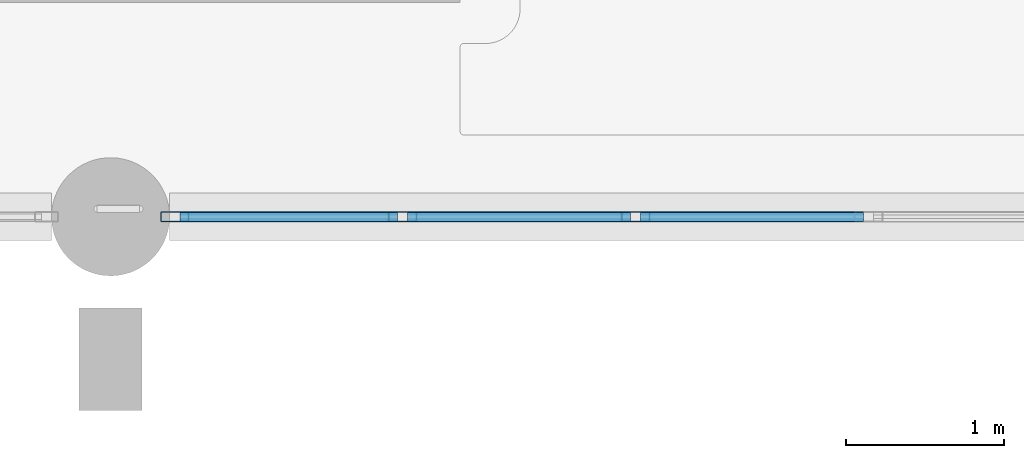
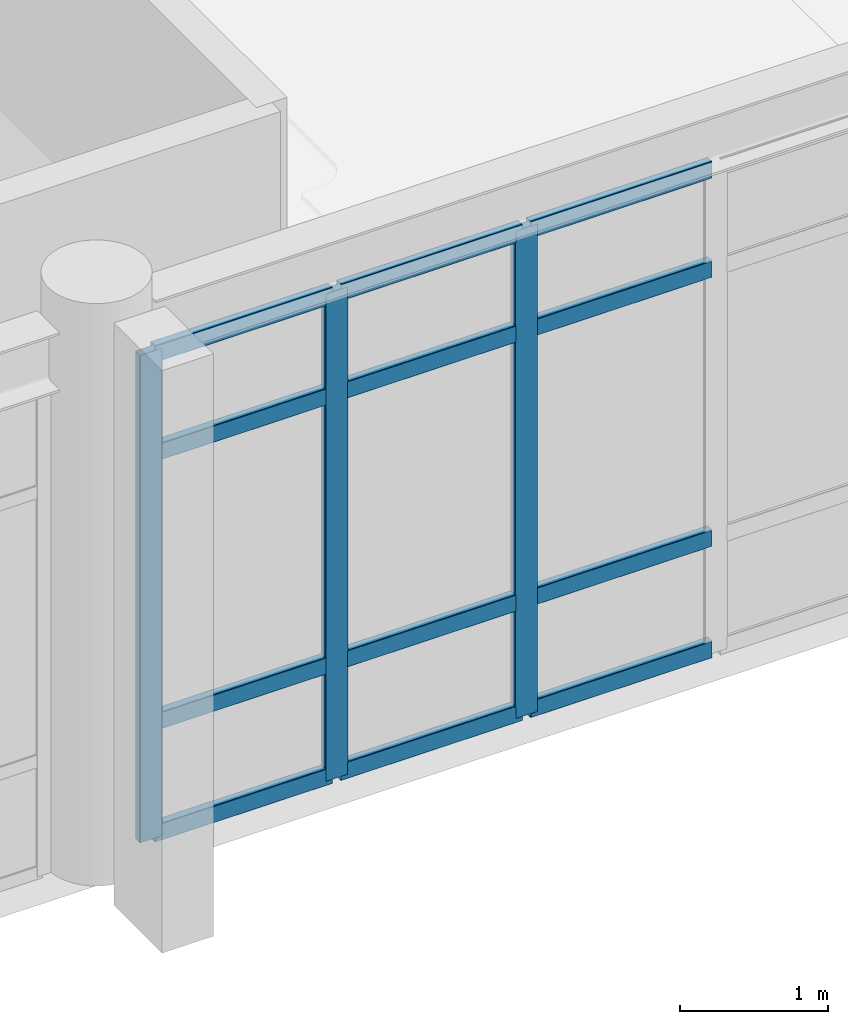
# One storey, part 55 of 98: 15 members, 1 element without a shape of its own.
"""IFC4 building model written with IfcOpenShell, lengths in metres."""

from ifc_helpers import new_model, si_unit, direction, frame, origin, origin_2d, place, context, subcontext, project, spatial, hollow_rectangle, extrude, material, material_profile, profile_set, type_object, element, aggregate, save


model = new_model("IFC4")

# Units and contexts
model_context = context("Model", 3, precision=1e-05, world=origin(), true_north=direction((0.0, 1.0)))
body_context = subcontext(model_context, "Body", "Model", "MODEL_VIEW")
ifc_project = project(units=[si_unit("LENGTHUNIT", "METRE"), si_unit("AREAUNIT", "SQUARE_METRE"), si_unit("VOLUMEUNIT", "CUBIC_METRE"), si_unit("PLANEANGLEUNIT", "RADIAN"), si_unit("MASSUNIT", "GRAM", prefix="KILO")], contexts=[model_context])

# Site, building, storey
site_placement = place(None, origin())
site = spatial("IfcSite", under=ifc_project, at=site_placement, CompositionType="ELEMENT")
building_placement = place(site_placement, origin())
building = spatial("IfcBuilding", under=site, at=building_placement, Name="Canglan Escarpment Cableway Terminal", CompositionType="ELEMENT")
storey_placement = place(building_placement, frame((0.0, 0.0, 9.60009765625)))
storey = spatial("IfcBuildingStorey", under=building, at=storey_placement, Name="L02", CompositionType="ELEMENT", Elevation=9.60009765625)

# Curtain wall, members
ifc_material_1 = material(Name="Anodized bronze aluminium and Low-E double glazing", Category="aluminium")
curtain_wall_type = type_object("IfcCurtainWallType", Name="CW-BAY-8875x4025", PredefinedType="NOTDEFINED", material=ifc_material_1)
curtain_wall_placement = place(storey_placement, origin())
curtain_wall = element("IfcCurtainWall", 1, at=curtain_wall_placement, inside=storey, type_object=curtain_wall_type, Name="Classical bay-between-piers glazed curtain wall CW-26", PredefinedType="NOTDEFINED")
ifc_material_2 = material(Name="Thermally broken anodized aluminium 6063-T6", Category="aluminium")
ifc_material_profile_1 = material_profile(ifc_material_2, hollow_rectangle(XDim=0.06494140625, YDim=0.179931640625, WallThickness=0.00390625, InnerFilletRadius=0.00390625, OuterFilletRadius=0.008056640625, at=origin_2d()), Name="ALU-MULL 65x180x4")
ifc_profile_set_1 = profile_set([ifc_material_profile_1], Name="Thermally broken anodized aluminium 6063-T6")
member_type_1 = type_object("IfcMemberType", Name="CWM-03", PredefinedType="MULLION", material=ifc_profile_set_1)
member_1_placement = place(storey_placement, frame((157.20751953125, 8.0, 0.0), z_axis=(0.0, 0.0, 1.0), x_axis=(0.0, 1.0, 0.0)))
member_1 = element("IfcMember", 2, at=member_1_placement, type_object=member_type_1, Name="CW-26 mullion 1", PredefinedType="MULLION", context=body_context, shape_type="SweptSolid", body=[
    extrude(hollow_rectangle(XDim=0.06494140625, YDim=0.179931640625, WallThickness=0.00390625, InnerFilletRadius=0.00390625, OuterFilletRadius=0.008056640625, at=origin_2d()), origin(), (0.0, 0.0, 1.0), 4.016845703125),
])
member_2_placement = place(storey_placement, frame((158.654052734375, 8.0, 0.0), z_axis=(0.0, 0.0, 1.0), x_axis=(0.0, 1.0, 0.0)))
member_2 = element("IfcMember", 3, at=member_2_placement, type_object=member_type_1, Name="CW-26 mullion 2", PredefinedType="MULLION", context=body_context, shape_type="SweptSolid", body=[
    extrude(hollow_rectangle(XDim=0.06494140625, YDim=0.179931640625, WallThickness=0.00390625, InnerFilletRadius=0.00390625, OuterFilletRadius=0.008056640625, at=origin_2d()), origin(), (0.0, 0.0, 1.0), 4.016845703125),
])
member_3_placement = place(storey_placement, frame((160.13330078125, 8.0, 0.0), z_axis=(0.0, 0.0, 1.0), x_axis=(0.0, 1.0, 0.0)))
member_3 = element("IfcMember", 4, at=member_3_placement, type_object=member_type_1, Name="CW-26 mullion 3", PredefinedType="MULLION", context=body_context, shape_type="SweptSolid", body=[
    extrude(hollow_rectangle(XDim=0.06494140625, YDim=0.179931640625, WallThickness=0.00390625, InnerFilletRadius=0.00390625, OuterFilletRadius=0.008056640625, at=origin_2d()), origin(), (0.0, 0.0, 1.0), 4.016845703125),
])
ifc_material_profile_2 = material_profile(ifc_material_2, hollow_rectangle(XDim=0.06494140625, YDim=0.139892578125, WallThickness=0.00341796875, InnerFilletRadius=0.00341796875, OuterFilletRadius=0.007080078125, at=origin_2d()), Name="ALU-TRAN 65x140x3.5")
ifc_profile_set_2 = profile_set([ifc_material_profile_2], Name="Thermally broken anodized aluminium 6063-T6")
member_type_2 = type_object("IfcMemberType", Name="CWT-03", PredefinedType="USERDEFINED", material=ifc_profile_set_2)
member_4_placement = place(storey_placement, frame((157.239990234375, 8.0, 0.032470703125), z_axis=(1.0, 0.0, 0.0), x_axis=(0.0, 1.0, 0.0)))
member_4 = element("IfcMember", 5, at=member_4_placement, type_object=member_type_2, Name="CW-26 transom 1.1", ObjectType="TRANSOM", PredefinedType="USERDEFINED", context=body_context, shape_type="SweptSolid", body=[
    extrude(hollow_rectangle(XDim=0.06494140625, YDim=0.139892578125, WallThickness=0.00341796875, InnerFilletRadius=0.00341796875, OuterFilletRadius=0.007080078125, at=origin_2d()), origin(), (0.0, 0.0, 1.0), 1.381591796875),
])
member_5_placement = place(storey_placement, frame((157.239990234375, 8.0, 0.949951171875), z_axis=(1.0, 0.0, 0.0), x_axis=(0.0, 1.0, 0.0)))
member_5 = element("IfcMember", 6, at=member_5_placement, type_object=member_type_2, Name="CW-26 transom 1.2", ObjectType="TRANSOM", PredefinedType="USERDEFINED", context=body_context, shape_type="SweptSolid", body=[
    extrude(hollow_rectangle(XDim=0.06494140625, YDim=0.139892578125, WallThickness=0.00341796875, InnerFilletRadius=0.00341796875, OuterFilletRadius=0.007080078125, at=origin_2d()), origin(), (0.0, 0.0, 1.0), 1.381591796875),
])
member_6_placement = place(storey_placement, frame((157.239990234375, 8.0, 3.1669921875), z_axis=(1.0, 0.0, 0.0), x_axis=(0.0, 1.0, 0.0)))
member_6 = element("IfcMember", 7, at=member_6_placement, type_object=member_type_2, Name="CW-26 transom 1.3", ObjectType="TRANSOM", PredefinedType="USERDEFINED", context=body_context, shape_type="SweptSolid", body=[
    extrude(hollow_rectangle(XDim=0.06494140625, YDim=0.139892578125, WallThickness=0.00341796875, InnerFilletRadius=0.00341796875, OuterFilletRadius=0.007080078125, at=origin_2d()), origin(), (0.0, 0.0, 1.0), 1.381591796875),
])
member_7_placement = place(storey_placement, frame((157.239990234375, 8.0, 3.984375), z_axis=(1.0, 0.0, 0.0), x_axis=(0.0, 1.0, 0.0)))
member_7 = element("IfcMember", 8, at=member_7_placement, type_object=member_type_2, Name="CW-26 transom 1.4", ObjectType="TRANSOM", PredefinedType="USERDEFINED", context=body_context, shape_type="SweptSolid", body=[
    extrude(hollow_rectangle(XDim=0.06494140625, YDim=0.139892578125, WallThickness=0.00341796875, InnerFilletRadius=0.00341796875, OuterFilletRadius=0.007080078125, at=origin_2d()), origin(), (0.0, 0.0, 1.0), 1.381591796875),
])
member_8_placement = place(storey_placement, frame((158.686767578125, 8.0, 0.032470703125), z_axis=(1.0, 0.0, 0.0), x_axis=(0.0, 1.0, 0.0)))
member_8 = element("IfcMember", 9, at=member_8_placement, type_object=member_type_2, Name="CW-26 transom 2.1", ObjectType="TRANSOM", PredefinedType="USERDEFINED", context=body_context, shape_type="SweptSolid", body=[
    extrude(hollow_rectangle(XDim=0.06494140625, YDim=0.139892578125, WallThickness=0.00341796875, InnerFilletRadius=0.00341796875, OuterFilletRadius=0.007080078125, at=origin_2d()), origin(), (0.0, 0.0, 1.0), 1.4140625),
])
member_9_placement = place(storey_placement, frame((158.686767578125, 8.0, 0.949951171875), z_axis=(1.0, 0.0, 0.0), x_axis=(0.0, 1.0, 0.0)))
member_9 = element("IfcMember", 10, at=member_9_placement, type_object=member_type_2, Name="CW-26 transom 2.2", ObjectType="TRANSOM", PredefinedType="USERDEFINED", context=body_context, shape_type="SweptSolid", body=[
    extrude(hollow_rectangle(XDim=0.06494140625, YDim=0.139892578125, WallThickness=0.00341796875, InnerFilletRadius=0.00341796875, OuterFilletRadius=0.007080078125, at=origin_2d()), origin(), (0.0, 0.0, 1.0), 1.4140625),
])
member_10_placement = place(storey_placement, frame((158.686767578125, 8.0, 3.1669921875), z_axis=(1.0, 0.0, 0.0), x_axis=(0.0, 1.0, 0.0)))
member_10 = element("IfcMember", 11, at=member_10_placement, type_object=member_type_2, Name="CW-26 transom 2.3", ObjectType="TRANSOM", PredefinedType="USERDEFINED", context=body_context, shape_type="SweptSolid", body=[
    extrude(hollow_rectangle(XDim=0.06494140625, YDim=0.139892578125, WallThickness=0.00341796875, InnerFilletRadius=0.00341796875, OuterFilletRadius=0.007080078125, at=origin_2d()), origin(), (0.0, 0.0, 1.0), 1.4140625),
])
member_11_placement = place(storey_placement, frame((158.686767578125, 8.0, 3.984375), z_axis=(1.0, 0.0, 0.0), x_axis=(0.0, 1.0, 0.0)))
member_11 = element("IfcMember", 12, at=member_11_placement, type_object=member_type_2, Name="CW-26 transom 2.4", ObjectType="TRANSOM", PredefinedType="USERDEFINED", context=body_context, shape_type="SweptSolid", body=[
    extrude(hollow_rectangle(XDim=0.06494140625, YDim=0.139892578125, WallThickness=0.00341796875, InnerFilletRadius=0.00341796875, OuterFilletRadius=0.007080078125, at=origin_2d()), origin(), (0.0, 0.0, 1.0), 1.4140625),
])
member_12_placement = place(storey_placement, frame((160.165771484375, 8.0, 0.032470703125), z_axis=(1.0, 0.0, 0.0), x_axis=(0.0, 1.0, 0.0)))
member_12 = element("IfcMember", 13, at=member_12_placement, type_object=member_type_2, Name="CW-26 transom 3.1", ObjectType="TRANSOM", PredefinedType="USERDEFINED", context=body_context, shape_type="SweptSolid", body=[
    extrude(hollow_rectangle(XDim=0.06494140625, YDim=0.139892578125, WallThickness=0.00341796875, InnerFilletRadius=0.00341796875, OuterFilletRadius=0.007080078125, at=origin_2d()), origin(), (0.0, 0.0, 1.0), 1.414306640625),
])
member_13_placement = place(storey_placement, frame((160.165771484375, 8.0, 0.949951171875), z_axis=(1.0, 0.0, 0.0), x_axis=(0.0, 1.0, 0.0)))
member_13 = element("IfcMember", 14, at=member_13_placement, type_object=member_type_2, Name="CW-26 transom 3.2", ObjectType="TRANSOM", PredefinedType="USERDEFINED", context=body_context, shape_type="SweptSolid", body=[
    extrude(hollow_rectangle(XDim=0.06494140625, YDim=0.139892578125, WallThickness=0.00341796875, InnerFilletRadius=0.00341796875, OuterFilletRadius=0.007080078125, at=origin_2d()), origin(), (0.0, 0.0, 1.0), 1.414306640625),
])
member_14_placement = place(storey_placement, frame((160.165771484375, 8.0, 3.1669921875), z_axis=(1.0, 0.0, 0.0), x_axis=(0.0, 1.0, 0.0)))
member_14 = element("IfcMember", 15, at=member_14_placement, type_object=member_type_2, Name="CW-26 transom 3.3", ObjectType="TRANSOM", PredefinedType="USERDEFINED", context=body_context, shape_type="SweptSolid", body=[
    extrude(hollow_rectangle(XDim=0.06494140625, YDim=0.139892578125, WallThickness=0.00341796875, InnerFilletRadius=0.00341796875, OuterFilletRadius=0.007080078125, at=origin_2d()), origin(), (0.0, 0.0, 1.0), 1.414306640625),
])
member_15_placement = place(storey_placement, frame((160.165771484375, 8.0, 3.984375), z_axis=(1.0, 0.0, 0.0), x_axis=(0.0, 1.0, 0.0)))
member_15 = element("IfcMember", 16, at=member_15_placement, type_object=member_type_2, Name="CW-26 transom 3.4", ObjectType="TRANSOM", PredefinedType="USERDEFINED", context=body_context, shape_type="SweptSolid", body=[
    extrude(hollow_rectangle(XDim=0.06494140625, YDim=0.139892578125, WallThickness=0.00341796875, InnerFilletRadius=0.00341796875, OuterFilletRadius=0.007080078125, at=origin_2d()), origin(), (0.0, 0.0, 1.0), 1.414306640625),
])
aggregate(curtain_wall, [member_1, member_2, member_3, member_4, member_5, member_6, member_7, member_8, member_9, member_10, member_11, member_12, member_13, member_14, member_15])

save(model, "model.ifc")
